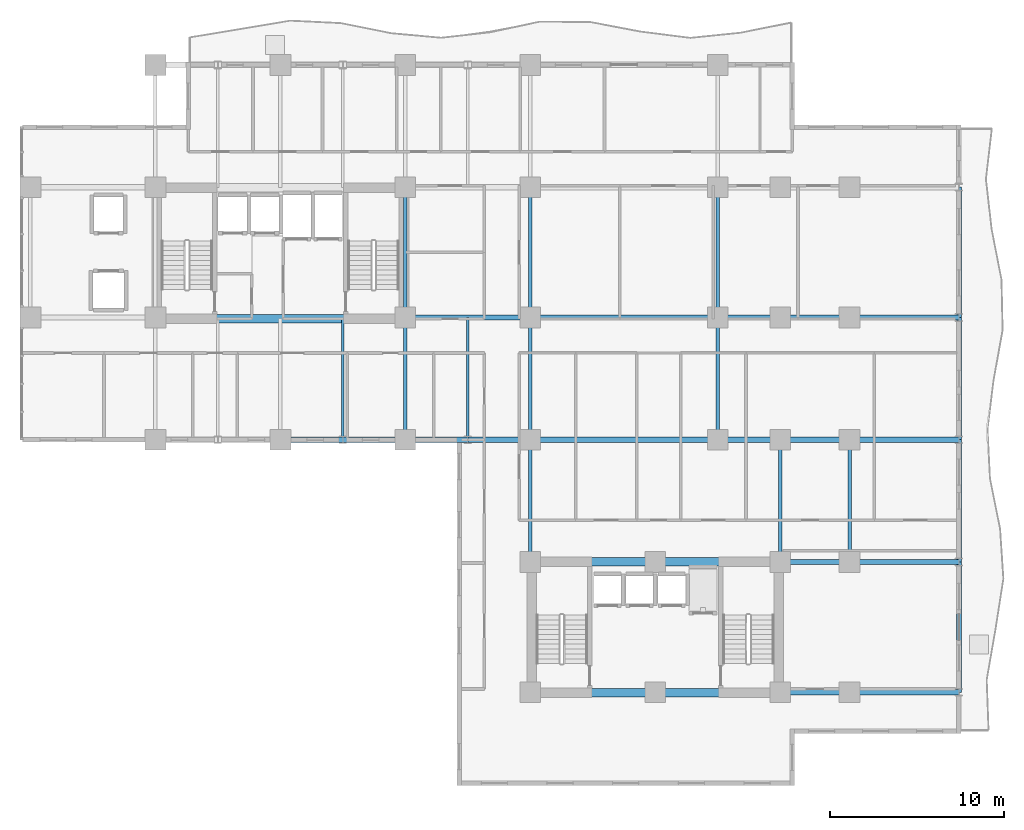
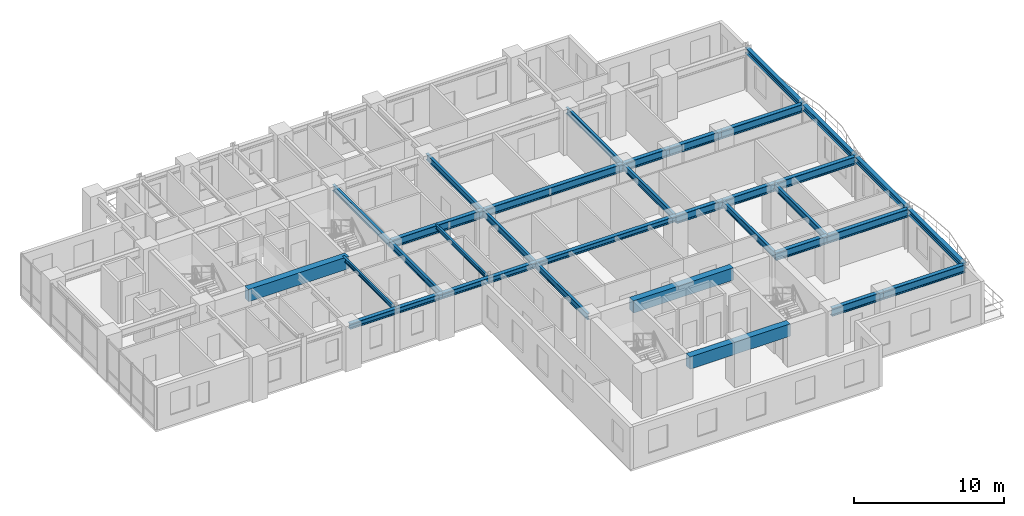
# One storey, part 5 of 18: 35 beams.
"""IFC4 building model written with IfcOpenShell, lengths in metres."""

import ifcopenshell
import ifcopenshell.guid

model = None  # the IFC model being written
_history = None  # IfcOwnerHistory: only IFC2X3 demands one
_inside = {}  # id of a spatial element -> (the spatial element, [elements in it])
_under = {}  # id of a project, library or spatial element -> (it, [spatial elements below it])
_declared = {}  # id of a project -> (the project, [libraries it declares])
_typed = {}  # id of a type object -> (the type object, [elements of that type])
_made_of = {}  # id of a material, layer set ... -> (it, [elements and type objects made of it])


def new_model(schema):
    """Start an empty IFC model of exactly this schema.

    Asked for "IFC4X3", IfcOpenShell would pick the latest addendum, in which some entities
    have other attributes; the version numbers below select the first issue.
    IFC2X3 requires an IfcOwnerHistory on every rooted entity: one is made here for all.
    """
    global model, _history
    if schema == "IFC4X3":
        model = ifcopenshell.file(schema_version=(4, 3, 0, 0))
    else:
        model = ifcopenshell.file(schema=schema)
    _inside.clear()
    _under.clear()
    _declared.clear()
    _typed.clear()
    _made_of.clear()
    _history = None
    if model.schema == "IFC2X3":
        org = make("IfcOrganization", Name="unknown")
        user = make(
            "IfcPersonAndOrganization",
            ThePerson=make("IfcPerson", FamilyName="unknown"),
            TheOrganization=org,
        )
        app = make(
            "IfcApplication",
            ApplicationDeveloper=org,
            Version="unknown",
            ApplicationFullName="unknown",
            ApplicationIdentifier="unknown",
        )
        _history = make(
            "IfcOwnerHistory",
            OwningUser=user,
            OwningApplication=app,
            ChangeAction="ADDED",
            CreationDate=0,
        )
    return model


def make(cls, **values):
    """One entity of the class cls with the attributes given. An attribute that is None is left unset."""
    return model.create_entity(
        cls, **{name: value for name, value in values.items() if value is not None}
    )


def rooted(cls, **values):
    """An entity with a GlobalId (a new one), such as an element, a storey or a relation."""
    return make(cls, GlobalId=ifcopenshell.guid.new(), OwnerHistory=_history, **values)


def si_unit(unit_type, name, prefix=None):
    """IfcSIUnit, for example si_unit("LENGTHUNIT", "METRE", prefix="MILLI")."""
    return make("IfcSIUnit", UnitType=unit_type, Prefix=prefix, Name=name)


def assignment(units):
    """IfcUnitAssignment: the units of a project."""
    return None if units is None else make("IfcUnitAssignment", Units=units)


def point(xyz):
    """IfcCartesianPoint."""
    return None if xyz is None else make("IfcCartesianPoint", Coordinates=xyz)


def direction(xyz):
    """IfcDirection."""
    return None if xyz is None else make("IfcDirection", DirectionRatios=xyz)


def frame(location, z_axis=None, x_axis=None):
    """IfcAxis2Placement3D, a coordinate frame: its origin and axes. An axis left out is left unset."""
    return make(
        "IfcAxis2Placement3D",
        Location=point(location),
        Axis=direction(z_axis),
        RefDirection=direction(x_axis),
    )


def frame_2d(location, x_axis=None):
    """IfcAxis2Placement2D, a coordinate frame in the plane: its origin and x axis."""
    return make(
        "IfcAxis2Placement2D", Location=point(location), RefDirection=direction(x_axis)
    )


def origin():
    """The frame at (0, 0, 0) with its axes left unset."""
    return frame((0.0, 0.0, 0.0))


def origin_2d():
    """The frame at (0, 0) in the plane with its x axis left unset."""
    return frame_2d((0.0, 0.0))


def place(relative_to, where):
    """IfcLocalPlacement: puts the frame where relative to a parent placement (None: the world)."""
    return make(
        "IfcLocalPlacement", PlacementRelTo=relative_to, RelativePlacement=where
    )


def context(
    kind, dimensions, precision=None, world=None, true_north=None, identifier=None
):
    """IfcGeometricRepresentationContext, for example the 3D "Model" context."""
    return make(
        "IfcGeometricRepresentationContext",
        ContextIdentifier=identifier,
        ContextType=kind,
        CoordinateSpaceDimension=dimensions,
        Precision=precision,
        WorldCoordinateSystem=world,
        TrueNorth=true_north,
    )


def subcontext(parent, identifier, kind, view, scale=None):
    """IfcGeometricRepresentationSubContext, for example "Body" below "Model"."""
    return make(
        "IfcGeometricRepresentationSubContext",
        ContextIdentifier=identifier,
        ContextType=kind,
        ParentContext=parent,
        TargetScale=scale,
        TargetView=view,
    )


def project(units=None, contexts=None):
    """IfcProject with its units and contexts."""
    return rooted(
        "IfcProject",
        Name="project",
        RepresentationContexts=contexts,
        UnitsInContext=assignment(units),
    )


def spatial(cls, under=None, at=None, **own):
    """A site, building, storey or space (cls), placed at a placement, below another one or the project."""
    s = rooted(cls, ObjectPlacement=at, **own)
    if under is not None:
        _under.setdefault(under.id(), (under, []))[1].append(s)
    return s


def profile(cls, at=None, kind="AREA", **sizes):
    """A parametric profile (cls). Its sizes go by their IFC names, for example OverallWidth=200.0."""
    return make(cls, ProfileType=kind, Position=at, **sizes)


def rectangle(**sizes):
    """IfcRectangleProfileDef."""
    return profile("IfcRectangleProfileDef", **sizes)


def i_section(**sizes):
    """IfcIShapeProfileDef."""
    return profile("IfcIShapeProfileDef", **sizes)


def extrude(swept, where, along, depth):
    """IfcExtrudedAreaSolid: the profile swept, set in the frame where, extruded along a direction by depth."""
    return make(
        "IfcExtrudedAreaSolid",
        SweptArea=swept,
        Position=where,
        ExtrudedDirection=direction(along),
        Depth=depth,
    )


def shape(context_of_items, identifier, shape_type, items):
    """IfcShapeRepresentation: the items that make up one representation, for example the "Body"."""
    return make(
        "IfcShapeRepresentation",
        ContextOfItems=context_of_items,
        RepresentationIdentifier=identifier,
        RepresentationType=shape_type,
        Items=items,
    )


def source(mapping_origin, context_of_items, identifier, shape_type, items):
    """IfcRepresentationMap: a shape defined once, which mapped items show again and again."""
    return make(
        "IfcRepresentationMap",
        MappingOrigin=mapping_origin,
        MappedRepresentation=shape(context_of_items, identifier, shape_type, items),
    )


def transform(
    local_origin,
    x_axis=None,
    y_axis=None,
    z_axis=None,
    scale=None,
    scale2=None,
    scale3=None,
    uniform=True,
):
    """IfcCartesianTransformationOperator3D, or its non-uniform kind. x_axis, y_axis, z_axis: its Axis1, 2, 3."""
    if uniform:
        return make(
            "IfcCartesianTransformationOperator3D",
            Axis1=direction(x_axis),
            Axis2=direction(y_axis),
            LocalOrigin=point(local_origin),
            Scale=scale,
            Axis3=direction(z_axis),
        )
    return make(
        "IfcCartesianTransformationOperator3DnonUniform",
        Axis1=direction(x_axis),
        Axis2=direction(y_axis),
        LocalOrigin=point(local_origin),
        Scale=scale,
        Axis3=direction(z_axis),
        Scale2=scale2,
        Scale3=scale3,
    )


def mapped(mapping_source, mapping_target):
    """IfcMappedItem: shows the shape of a source again, moved by a transform."""
    return make(
        "IfcMappedItem", MappingSource=mapping_source, MappingTarget=mapping_target
    )


def material(Name=None, Category=None):
    """IfcMaterial."""
    return make("IfcMaterial", Name=Name, Category=Category)


def material_profile(
    of_material, cross_section, Name=None, Category=None, Priority=None
):
    """IfcMaterialProfile: a cross section and its material."""
    return make(
        "IfcMaterialProfile",
        Name=Name,
        Material=of_material,
        Profile=cross_section,
        Priority=Priority,
        Category=Category,
    )


def profile_set(profiles, Name=None, composite=None):
    """IfcMaterialProfileSet."""
    return make(
        "IfcMaterialProfileSet",
        Name=Name,
        MaterialProfiles=profiles,
        CompositeProfile=composite,
    )


def made_of(thing, what):
    """Note that an element or type object is made of a material, layer set ...; save() writes the relation."""
    if what is not None:
        _made_of.setdefault(what.id(), (what, []))[1].append(thing)
    return thing


def type_object(cls, material=None, **own):
    """A type object (cls), such as IfcWallType, which elements share."""
    return made_of(rooted(cls, **own), material)


def element(
    cls,
    number,
    at=None,
    inside=None,
    cuts=None,
    type_object=None,
    material=None,
    context=None,
    identifier="Body",
    shape_type=None,
    held_by="IfcProductDefinitionShape",
    body=None,
    shapes=None,
    **own,
):
    """One element of the class cls, such as IfcWall. Its Tag is "e" and its number.

    at: its placement. inside: the storey or other place that contains it. cuts: it is an
    opening in that element (IfcRelVoidsElement). A single representation is given by context,
    identifier, shape_type and body (its items); several are given by shapes. held_by: the class
    of the entity that holds the representations. save() writes the other relations.
    """
    e = rooted(cls, Tag="e%d" % number, ObjectPlacement=at, **own)
    if body is not None:
        shapes = [shape(context, identifier, shape_type, body)]
    if shapes is not None:
        e.Representation = make(held_by, Representations=shapes)
    if inside is not None:
        _inside.setdefault(inside.id(), (inside, []))[1].append(e)
    if cuts is not None:
        rooted(
            "IfcRelVoidsElement", RelatingBuildingElement=cuts, RelatedOpeningElement=e
        )
    if type_object is not None:
        _typed.setdefault(type_object.id(), (type_object, []))[1].append(e)
    return made_of(e, material)


def aggregate(whole, parts):
    """IfcRelAggregates: a whole, such as a stair, and the parts it consists of."""
    return rooted("IfcRelAggregates", RelatingObject=whole, RelatedObjects=parts)


def save(model, path):
    """Write the relations noted so far, then the file.

    IfcRelAggregates (storeys below a building ...), IfcRelContainedInSpatialStructure (elements
    in a storey), IfcRelDefinesByType, IfcRelAssociatesMaterial and IfcRelDeclares: one each for
    every whole, place, type object, material and project.
    """
    for whole, parts in _under.values():
        aggregate(whole, parts)
    for where, things in _inside.values():
        rooted(
            "IfcRelContainedInSpatialStructure",
            RelatedElements=things,
            RelatingStructure=where,
        )
    for kind, things in _typed.values():
        rooted("IfcRelDefinesByType", RelatedObjects=things, RelatingType=kind)
    for what, things in _made_of.values():
        rooted("IfcRelAssociatesMaterial", RelatedObjects=things, RelatingMaterial=what)
    for by, libraries in _declared.values():
        rooted("IfcRelDeclares", RelatingContext=by, RelatedDefinitions=libraries)
    model.write(path)


model = new_model("IFC4")

# Units and contexts
model_context = context("Model", 3, precision=1e-05, world=origin(), true_north=direction((0.0, 1.0)))
body_context = subcontext(model_context, "Body", "Model", "MODEL_VIEW")
ifc_project = project(units=[si_unit("LENGTHUNIT", "METRE"), si_unit("AREAUNIT", "SQUARE_METRE"), si_unit("VOLUMEUNIT", "CUBIC_METRE"), si_unit("PLANEANGLEUNIT", "RADIAN"), si_unit("MASSUNIT", "GRAM", prefix="KILO")], contexts=[model_context])

# Site, building, storey
site_placement = place(None, origin())
site = spatial("IfcSite", under=ifc_project, at=site_placement, CompositionType="ELEMENT")
building_placement = place(site_placement, origin())
building = spatial("IfcBuilding", under=site, at=building_placement, Name="Kaliganga Portal Commons", CompositionType="ELEMENT")
storey_placement = place(building_placement, frame((0.0, 0.0, 123.0)))
storey = spatial("IfcBuildingStorey", under=building, at=storey_placement, Name="L31", CompositionType="ELEMENT", Elevation=123.0)

# Beams
ifc_material_1 = material(Name="Concrete C50/60", Category="concrete")
ifc_material_profile_1 = material_profile(ifc_material_1, rectangle(XDim=0.5, YDim=1.0, at=origin_2d()), Name="RC 500x1000")
ifc_profile_set_1 = profile_set([ifc_material_profile_1], Name="Concrete C50/60")
beam_type_1 = type_object("IfcBeamType", Name="BM-CPL-1000", PredefinedType="LINTEL", material=ifc_profile_set_1)
shared_shape_1 = source(origin(), body_context, "Body", "SweptSolid", [
    extrude(rectangle(XDim=0.5, YDim=1.0, at=origin_2d()), origin(), (0.0, 0.0, 1.0), 7.739990234375),
])
for number, where, z_axis, x_axis, name in (
    (1, (17.72998046875, 28.574951171875, 2.949951171875), (1.0, 0.0, 0.0), (0.0, 1.0, 0.0), "BM CPL COREA L31 S"),
    (2, (39.330078125, 7.02490234375, 2.949951171875), (1.0, 0.0, 0.0), (0.0, 1.0, 0.0), "BM CPL COREB L31 S"),
    (3, (39.330078125, 14.574951171875, 2.949951171875), (1.0, 0.0, 0.0), (0.0, 1.0, 0.0), "BM CPL COREB L31 N"),
):
    element("IfcBeam", number, at=place(storey_placement, frame(where, z_axis=z_axis, x_axis=x_axis)), inside=storey, type_object=beam_type_1, Name=name, PredefinedType="LINTEL", context=body_context, shape_type="MappedRepresentation", body=[
        mapped(shared_shape_1, transform((0.0, 0.0, 0.0), x_axis=(1.0, 0.0, 0.0), y_axis=(0.0, 1.0, 0.0), z_axis=(0.0, 0.0, 1.0), scale=1.0)),
    ])
ifc_material_2 = material(Name="Structural steel S355J2", Category="steel")
ifc_material_profile_2 = material_profile(ifc_material_2, i_section(OverallWidth=0.300048828125, OverallDepth=0.64990234375, WebThickness=0.01611328125, FlangeThickness=0.031005859375, FilletRadius=0.027099609375, at=origin_2d()), Name="HE 650 B")
ifc_profile_set_2 = profile_set([ifc_material_profile_2], Name="Structural steel S355J2 wide-flange")
beam_type_2 = type_object("IfcBeamType", Name="BM-GIRD-650", PredefinedType="USERDEFINED", material=ifc_profile_set_2)
shared_shape_2 = source(origin(), body_context, "Body", "SweptSolid", [
    extrude(i_section(OverallWidth=0.300048828125, OverallDepth=0.64990234375, WebThickness=0.01611328125, FlangeThickness=0.031005859375, FilletRadius=0.027099609375, at=origin_2d()), origin(), (0.0, 0.0, 1.0), 3.599853515625),
])
for number, where, z_axis, x_axis, name in (
    (4, (46.800048828125, 21.60009765625, 3.125), (1.0, 0.0, 0.0), (0.0, 1.0, 0.0), "BM G L31 BKE216 1"),
    (5, (46.800048828125, 28.64990234375, 3.125), (1.0, 0.0, 0.0), (0.0, 1.0, 0.0), "BM G L31 BKE286 1"),
):
    element("IfcBeam", number, at=place(storey_placement, frame(where, z_axis=z_axis, x_axis=x_axis)), inside=storey, type_object=beam_type_2, Name=name, ObjectType="GIRDER", PredefinedType="USERDEFINED", context=body_context, shape_type="MappedRepresentation", body=[
        mapped(shared_shape_2, transform((0.0, 0.0, 0.0), x_axis=(1.0, 0.0, 0.0), y_axis=(0.0, 1.0, 0.0), z_axis=(0.0, 0.0, 1.0), scale=1.0)),
    ])
shared_shape_3 = source(origin(), body_context, "Body", "SweptSolid", [
    extrude(i_section(OverallWidth=0.300048828125, OverallDepth=0.64990234375, WebThickness=0.01611328125, FlangeThickness=0.031005859375, FilletRadius=0.027099609375, at=origin_2d()), origin(), (0.0, 0.0, 1.0), 7.199951171875),
])
beam_1_placement = place(storey_placement, frame((28.800048828125, 28.64990234375, 3.125), z_axis=(1.0, 0.0, 0.0), x_axis=(0.0, 1.0, 0.0)))
element("IfcBeam", 6, at=beam_1_placement, inside=storey, type_object=beam_type_2, Name="BM G L31 WAE_S 1", ObjectType="GIRDER", PredefinedType="USERDEFINED", context=body_context, shape_type="MappedRepresentation", body=[
    mapped(shared_shape_3, transform((0.0, 0.0, 0.0), x_axis=(1.0, 0.0, 0.0), y_axis=(0.0, 1.0, 0.0), z_axis=(0.0, 0.0, 1.0), scale=1.0)),
])
shared_shape_4 = source(origin(), body_context, "Body", "SweptSolid", [
    extrude(i_section(OverallWidth=0.300048828125, OverallDepth=0.64990234375, WebThickness=0.01611328125, FlangeThickness=0.031005859375, FilletRadius=0.027099609375, at=origin_2d()), origin(), (0.0, 0.0, 1.0), 10.800048828125),
])
beam_2_placement = place(storey_placement, frame((36.0, 28.64990234375, 3.125), z_axis=(1.0, 0.0, 0.0), x_axis=(0.0, 1.0, 0.0)))
element("IfcBeam", 7, at=beam_2_placement, inside=storey, type_object=beam_type_2, Name="BM G L31 WAE_S 2", ObjectType="GIRDER", PredefinedType="USERDEFINED", context=body_context, shape_type="MappedRepresentation", body=[
    mapped(shared_shape_4, transform((0.0, 0.0, 0.0), x_axis=(1.0, 0.0, 0.0), y_axis=(0.0, 1.0, 0.0), z_axis=(0.0, 0.0, 1.0), scale=1.0)),
])
shared_shape_5 = source(origin(), body_context, "Body", "SweptSolid", [
    extrude(i_section(OverallWidth=0.300048828125, OverallDepth=0.64990234375, WebThickness=0.01611328125, FlangeThickness=0.031005859375, FilletRadius=0.027099609375, at=origin_2d()), origin(), (0.0, 0.0, 1.0), 4.0),
])
for number, where, z_axis, x_axis, name in (
    (8, (50.39990234375, 7.050048828125, 3.125), (1.0, 0.0, 0.0), (0.0, 1.0, 0.0), "BM G L31 BKE70 1"),
    (9, (50.39990234375, 14.550048828125, 3.125), (1.0, 0.0, 0.0), (0.0, 1.0, 0.0), "BM G L31 BKE146 1"),
    (10, (50.39990234375, 21.60009765625, 3.125), (1.0, 0.0, 0.0), (0.0, 1.0, 0.0), "BM G L31 BKE216 2"),
    (11, (50.39990234375, 28.64990234375, 3.125), (1.0, 0.0, 0.0), (0.0, 1.0, 0.0), "BM G L31 BKE286 2"),
):
    element("IfcBeam", number, at=place(storey_placement, frame(where, z_axis=z_axis, x_axis=x_axis)), inside=storey, type_object=beam_type_2, Name=name, ObjectType="GIRDER", PredefinedType="USERDEFINED", context=body_context, shape_type="MappedRepresentation", body=[
        mapped(shared_shape_5, transform((0.0, 0.0, 0.0), x_axis=(1.0, 0.0, 0.0), y_axis=(0.0, 1.0, 0.0), z_axis=(0.0, 0.0, 1.0), scale=1.0)),
    ])
ifc_material_profile_3 = material_profile(ifc_material_2, i_section(OverallWidth=0.199951171875, OverallDepth=0.5, WebThickness=0.01025390625, FlangeThickness=0.01611328125, FilletRadius=0.02099609375, at=origin_2d()), Name="IPE 500")
ifc_profile_set_3 = profile_set([ifc_material_profile_3], Name="Structural steel S355J2 wide-flange")
beam_type_3 = type_object("IfcBeamType", Name="BM-FLR-500", PredefinedType="BEAM", material=ifc_profile_set_3)
shared_shape_6 = source(origin(), body_context, "Body", "SweptSolid", [
    extrude(i_section(OverallWidth=0.199951171875, OverallDepth=0.5, WebThickness=0.01025390625, FlangeThickness=0.01611328125, FilletRadius=0.02099609375, at=origin_2d()), origin(), (0.0, 0.0, 1.0), 7.5),
])
for number, where, z_axis, x_axis, name in (
    (12, (28.800048828125, 28.64990234375, 3.199951171875), (0.0, 1.0, 0.0), (-1.0, 0.0, 0.0), "BM G L31 AM288"),
    (13, (36.0, 28.64990234375, 3.199951171875), (0.0, 1.0, 0.0), (-1.0, 0.0, 0.0), "BM G L31 AM360"),
    (14, (46.800048828125, 28.64990234375, 3.199951171875), (0.0, 1.0, 0.0), (-1.0, 0.0, 0.0), "BM G L31 AM468"),
):
    element("IfcBeam", number, at=place(storey_placement, frame(where, z_axis=z_axis, x_axis=x_axis)), inside=storey, type_object=beam_type_3, Name=name, PredefinedType="BEAM", context=body_context, shape_type="MappedRepresentation", body=[
        mapped(shared_shape_6, transform((0.0, 0.0, 0.0), x_axis=(1.0, 0.0, 0.0), y_axis=(0.0, 1.0, 0.0), z_axis=(0.0, 0.0, 1.0), scale=1.0)),
    ])
shared_shape_7 = source(origin(), body_context, "Body", "SweptSolid", [
    extrude(i_section(OverallWidth=0.199951171875, OverallDepth=0.5, WebThickness=0.01025390625, FlangeThickness=0.01611328125, FilletRadius=0.02099609375, at=origin_2d()), origin(), (0.0, 0.0, 1.0), 7.050048828125),
])
for number, where, z_axis, x_axis, name in (
    (15, (36.0, 14.550048828125, 3.199951171875), (0.0, 1.0, 0.0), (-1.0, 0.0, 0.0), "BM G L31 BNK360"),
    (16, (50.39990234375, 14.550048828125, 3.199951171875), (0.0, 1.0, 0.0), (-1.0, 0.0, 0.0), "BM G L31 BNK504"),
    (17, (54.39990234375, 14.550048828125, 3.199951171875), (0.0, 1.0, 0.0), (-1.0, 0.0, 0.0), "BM G L31 BNK544"),
):
    element("IfcBeam", number, at=place(storey_placement, frame(where, z_axis=z_axis, x_axis=x_axis)), inside=storey, type_object=beam_type_3, Name=name, PredefinedType="BEAM", context=body_context, shape_type="MappedRepresentation", body=[
        mapped(shared_shape_7, transform((0.0, 0.0, 0.0), x_axis=(1.0, 0.0, 0.0), y_axis=(0.0, 1.0, 0.0), z_axis=(0.0, 0.0, 1.0), scale=1.0)),
    ])
shared_shape_8 = source(origin(), body_context, "Body", "SweptSolid", [
    extrude(i_section(OverallWidth=0.199951171875, OverallDepth=0.5, WebThickness=0.01025390625, FlangeThickness=0.01611328125, FilletRadius=0.02099609375, at=origin_2d()), origin(), (0.0, 0.0, 1.0), 7.0498046875),
])
for number, where, z_axis, x_axis, name in (
    (18, (28.800048828125, 21.60009765625, 3.199951171875), (0.0, 1.0, 0.0), (-1.0, 0.0, 0.0), "BM G L31 AS288"),
    (19, (36.0, 21.60009765625, 3.199951171875), (0.0, 1.0, 0.0), (-1.0, 0.0, 0.0), "BM G L31 AS360"),
    (20, (46.800048828125, 21.60009765625, 3.199951171875), (0.0, 1.0, 0.0), (-1.0, 0.0, 0.0), "BM G L31 AS468"),
):
    element("IfcBeam", number, at=place(storey_placement, frame(where, z_axis=z_axis, x_axis=x_axis)), inside=storey, type_object=beam_type_3, Name=name, PredefinedType="BEAM", context=body_context, shape_type="MappedRepresentation", body=[
        mapped(shared_shape_8, transform((0.0, 0.0, 0.0), x_axis=(1.0, 0.0, 0.0), y_axis=(0.0, 1.0, 0.0), z_axis=(0.0, 0.0, 1.0), scale=1.0)),
    ])
shared_shape_9 = source(origin(), body_context, "Body", "SweptSolid", [
    extrude(i_section(OverallWidth=0.300048828125, OverallDepth=0.64990234375, WebThickness=0.01611328125, FlangeThickness=0.031005859375, FilletRadius=0.027099609375, at=origin_2d()), origin(), (0.0, 0.0, 1.0), 6.300048828125),
])
for number, where, z_axis, x_axis, name in (
    (21, (54.39990234375, 7.050048828125, 3.125), (1.0, 0.0, 0.0), (0.0, 1.0, 0.0), "BM G L31 BKE70 2"),
    (22, (54.39990234375, 14.550048828125, 3.125), (1.0, 0.0, 0.0), (0.0, 1.0, 0.0), "BM G L31 BKE146 2"),
    (23, (54.39990234375, 21.60009765625, 3.125), (1.0, 0.0, 0.0), (0.0, 1.0, 0.0), "BM G L31 BKE216 3"),
    (24, (54.39990234375, 28.64990234375, 3.125), (1.0, 0.0, 0.0), (0.0, 1.0, 0.0), "BM G L31 BKE286 3"),
):
    element("IfcBeam", number, at=place(storey_placement, frame(where, z_axis=z_axis, x_axis=x_axis)), inside=storey, type_object=beam_type_2, Name=name, ObjectType="GIRDER", PredefinedType="USERDEFINED", context=body_context, shape_type="MappedRepresentation", body=[
        mapped(shared_shape_9, transform((0.0, 0.0, 0.0), x_axis=(1.0, 0.0, 0.0), y_axis=(0.0, 1.0, 0.0), z_axis=(0.0, 0.0, 1.0), scale=1.0)),
    ])
ifc_material_profile_4 = material_profile(ifc_material_2, i_section(OverallWidth=0.300048828125, OverallDepth=0.449951171875, WebThickness=0.013916015625, FlangeThickness=0.02587890625, FilletRadius=0.027099609375, at=origin_2d()), Name="HE 450 B")
ifc_profile_set_4 = profile_set([ifc_material_profile_4], Name="Structural steel S355J2 wide-flange")
beam_type_4 = type_object("IfcBeamType", Name="BM-SPAND-450", PredefinedType="SPANDREL", material=ifc_profile_set_4)
shared_shape_10 = source(origin(), body_context, "Body", "SweptSolid", [
    extrude(i_section(OverallWidth=0.300048828125, OverallDepth=0.449951171875, WebThickness=0.013916015625, FlangeThickness=0.02587890625, FilletRadius=0.027099609375, at=origin_2d()), origin(), (0.0, 0.0, 1.0), 3.60009765625),
])
for number, where, z_axis, x_axis, name in (
    (25, (25.199951171875, 21.60009765625, 3.22509765625), (1.0, 0.0, 0.0), (0.0, 1.0, 0.0), "BM SP L31 AS 4"),
    (26, (32.39990234375, 21.60009765625, 3.22509765625), (1.0, 0.0, 0.0), (0.0, 1.0, 0.0), "BM SP L31 AS 6"),
):
    element("IfcBeam", number, at=place(storey_placement, frame(where, z_axis=z_axis, x_axis=x_axis)), inside=storey, type_object=beam_type_4, Name=name, PredefinedType="SPANDREL", context=body_context, shape_type="MappedRepresentation", body=[
        mapped(shared_shape_10, transform((0.0, 0.0, 0.0), x_axis=(1.0, 0.0, 0.0), y_axis=(0.0, 1.0, 0.0), z_axis=(0.0, 0.0, 1.0), scale=1.0)),
    ])
shared_shape_11 = source(origin(), body_context, "Body", "SweptSolid", [
    extrude(i_section(OverallWidth=0.300048828125, OverallDepth=0.449951171875, WebThickness=0.013916015625, FlangeThickness=0.02587890625, FilletRadius=0.027099609375, at=origin_2d()), origin(), (0.0, 0.0, 1.0), 3.599853515625),
])
for number, where, z_axis, x_axis, name in (
    (27, (21.60009765625, 21.60009765625, 3.22509765625), (1.0, 0.0, 0.0), (0.0, 1.0, 0.0), "BM SP L31 AS 3"),
    (28, (28.800048828125, 21.60009765625, 3.22509765625), (1.0, 0.0, 0.0), (0.0, 1.0, 0.0), "BM SP L31 AS 5"),
):
    element("IfcBeam", number, at=place(storey_placement, frame(where, z_axis=z_axis, x_axis=x_axis)), inside=storey, type_object=beam_type_4, Name=name, PredefinedType="SPANDREL", context=body_context, shape_type="MappedRepresentation", body=[
        mapped(shared_shape_11, transform((0.0, 0.0, 0.0), x_axis=(1.0, 0.0, 0.0), y_axis=(0.0, 1.0, 0.0), z_axis=(0.0, 0.0, 1.0), scale=1.0)),
    ])
shared_shape_12 = source(origin(), body_context, "Body", "SweptSolid", [
    extrude(i_section(OverallWidth=0.300048828125, OverallDepth=0.449951171875, WebThickness=0.013916015625, FlangeThickness=0.02587890625, FilletRadius=0.027099609375, at=origin_2d()), origin(), (0.0, 0.0, 1.0), 10.800048828125),
])
beam_3_placement = place(storey_placement, frame((36.0, 21.60009765625, 3.22509765625), z_axis=(1.0, 0.0, 0.0), x_axis=(0.0, 1.0, 0.0)))
element("IfcBeam", 29, at=beam_3_placement, inside=storey, type_object=beam_type_4, Name="BM SP L31 AS 7", PredefinedType="SPANDREL", context=body_context, shape_type="MappedRepresentation", body=[
    mapped(shared_shape_12, transform((0.0, 0.0, 0.0), x_axis=(1.0, 0.0, 0.0), y_axis=(0.0, 1.0, 0.0), z_axis=(0.0, 0.0, 1.0), scale=1.0)),
])
ifc_material_profile_5 = material_profile(ifc_material_2, i_section(OverallWidth=0.159912109375, OverallDepth=0.330078125, WebThickness=0.007568359375, FlangeThickness=0.011474609375, FilletRadius=0.01806640625, at=origin_2d()), Name="IPE 330")
ifc_profile_set_5 = profile_set([ifc_material_profile_5], Name="Structural steel S355J2 wide-flange")
beam_type_5 = type_object("IfcBeamType", Name="BM-JST-330", PredefinedType="JOIST", material=ifc_profile_set_5)
shared_shape_13 = source(origin(), body_context, "Body", "SweptSolid", [
    extrude(i_section(OverallWidth=0.159912109375, OverallDepth=0.330078125, WebThickness=0.007568359375, FlangeThickness=0.011474609375, FilletRadius=0.01806640625, at=origin_2d()), origin(), (0.0, 0.0, 1.0), 6.974853515625),
])
beam_4_placement = place(storey_placement, frame((25.199951171875, 21.60009765625, 3.284912109375), z_axis=(0.0, 1.0, 0.0), x_axis=(-1.0, 0.0, 0.0)))
element("IfcBeam", 30, at=beam_4_placement, inside=storey, type_object=beam_type_5, Name="BM G L31 AS252", PredefinedType="JOIST", context=body_context, shape_type="MappedRepresentation", body=[
    mapped(shared_shape_13, transform((0.0, 0.0, 0.0), x_axis=(1.0, 0.0, 0.0), y_axis=(0.0, 1.0, 0.0), z_axis=(0.0, 0.0, 1.0), scale=1.0)),
])
shared_shape_14 = source(origin(), body_context, "Body", "SweptSolid", [
    extrude(i_section(OverallWidth=0.159912109375, OverallDepth=0.330078125, WebThickness=0.007568359375, FlangeThickness=0.011474609375, FilletRadius=0.01806640625, at=origin_2d()), origin(), (0.0, 0.0, 1.0), 7.0498046875),
])
beam_5_placement = place(storey_placement, frame((32.39990234375, 21.60009765625, 3.284912109375), z_axis=(0.0, 1.0, 0.0), x_axis=(-1.0, 0.0, 0.0)))
element("IfcBeam", 31, at=beam_5_placement, inside=storey, type_object=beam_type_5, Name="BM G L31 AS324", PredefinedType="JOIST", context=body_context, shape_type="MappedRepresentation", body=[
    mapped(shared_shape_14, transform((0.0, 0.0, 0.0), x_axis=(1.0, 0.0, 0.0), y_axis=(0.0, 1.0, 0.0), z_axis=(0.0, 0.0, 1.0), scale=1.0)),
])
shared_shape_15 = source(origin(), body_context, "Body", "SweptSolid", [
    extrude(i_section(OverallWidth=0.300048828125, OverallDepth=0.449951171875, WebThickness=0.013916015625, FlangeThickness=0.02587890625, FilletRadius=0.027099609375, at=origin_2d()), origin(), (0.0, 0.0, 1.0), 7.5),
])
for number, where, z_axis, x_axis, name in (
    (32, (60.699951171875, 7.050048828125, 3.22509765625), (0.0, 1.0, 0.0), (-1.0, 0.0, 0.0), "BM SP L31 BE 1"),
    (33, (60.699951171875, 28.64990234375, 3.22509765625), (0.0, 1.0, 0.0), (-1.0, 0.0, 0.0), "BM SP L31 BE 4"),
):
    element("IfcBeam", number, at=place(storey_placement, frame(where, z_axis=z_axis, x_axis=x_axis)), inside=storey, type_object=beam_type_4, Name=name, PredefinedType="SPANDREL", context=body_context, shape_type="MappedRepresentation", body=[
        mapped(shared_shape_15, transform((0.0, 0.0, 0.0), x_axis=(1.0, 0.0, 0.0), y_axis=(0.0, 1.0, 0.0), z_axis=(0.0, 0.0, 1.0), scale=1.0)),
    ])
shared_shape_16 = source(origin(), body_context, "Body", "SweptSolid", [
    extrude(i_section(OverallWidth=0.300048828125, OverallDepth=0.449951171875, WebThickness=0.013916015625, FlangeThickness=0.02587890625, FilletRadius=0.027099609375, at=origin_2d()), origin(), (0.0, 0.0, 1.0), 7.050048828125),
])
beam_6_placement = place(storey_placement, frame((60.699951171875, 14.550048828125, 3.22509765625), z_axis=(0.0, 1.0, 0.0), x_axis=(-1.0, 0.0, 0.0)))
element("IfcBeam", 34, at=beam_6_placement, inside=storey, type_object=beam_type_4, Name="BM SP L31 BE 2", PredefinedType="SPANDREL", context=body_context, shape_type="MappedRepresentation", body=[
    mapped(shared_shape_16, transform((0.0, 0.0, 0.0), x_axis=(1.0, 0.0, 0.0), y_axis=(0.0, 1.0, 0.0), z_axis=(0.0, 0.0, 1.0), scale=1.0)),
])
shared_shape_17 = source(origin(), body_context, "Body", "SweptSolid", [
    extrude(i_section(OverallWidth=0.300048828125, OverallDepth=0.449951171875, WebThickness=0.013916015625, FlangeThickness=0.02587890625, FilletRadius=0.027099609375, at=origin_2d()), origin(), (0.0, 0.0, 1.0), 7.0498046875),
])
beam_7_placement = place(storey_placement, frame((60.699951171875, 21.60009765625, 3.22509765625), z_axis=(0.0, 1.0, 0.0), x_axis=(-1.0, 0.0, 0.0)))
element("IfcBeam", 35, at=beam_7_placement, inside=storey, type_object=beam_type_4, Name="BM SP L31 BE 3", PredefinedType="SPANDREL", context=body_context, shape_type="MappedRepresentation", body=[
    mapped(shared_shape_17, transform((0.0, 0.0, 0.0), x_axis=(1.0, 0.0, 0.0), y_axis=(0.0, 1.0, 0.0), z_axis=(0.0, 0.0, 1.0), scale=1.0)),
])

save(model, "model.ifc")
